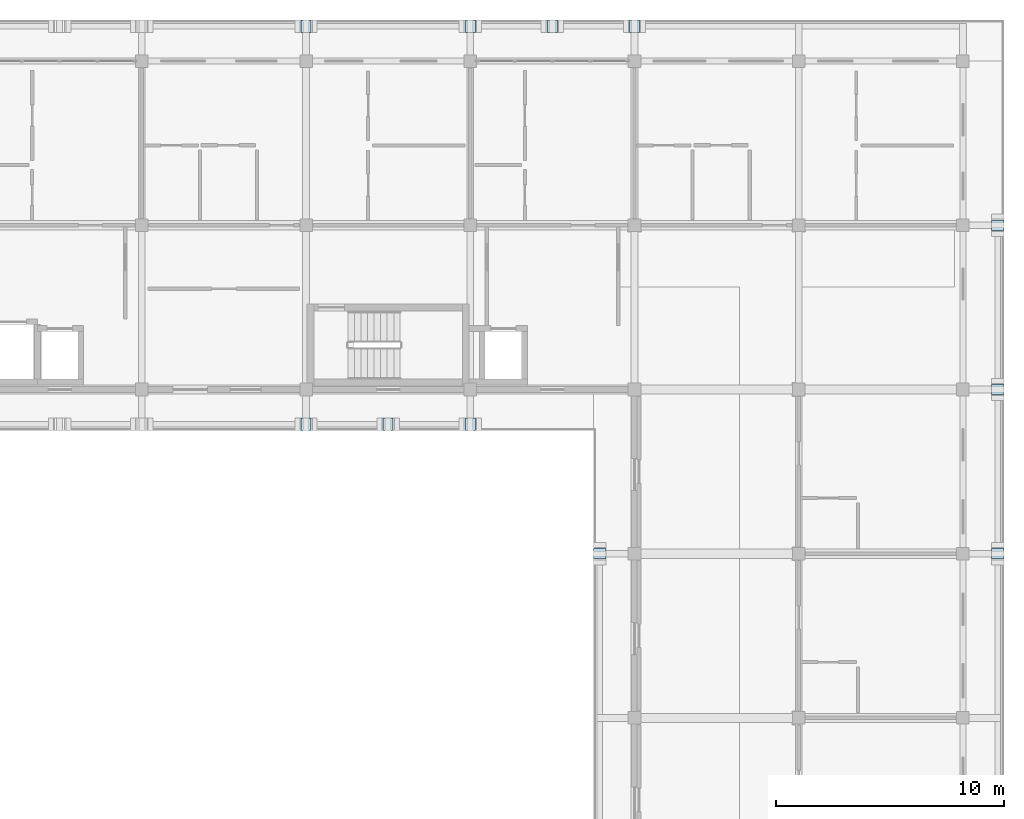
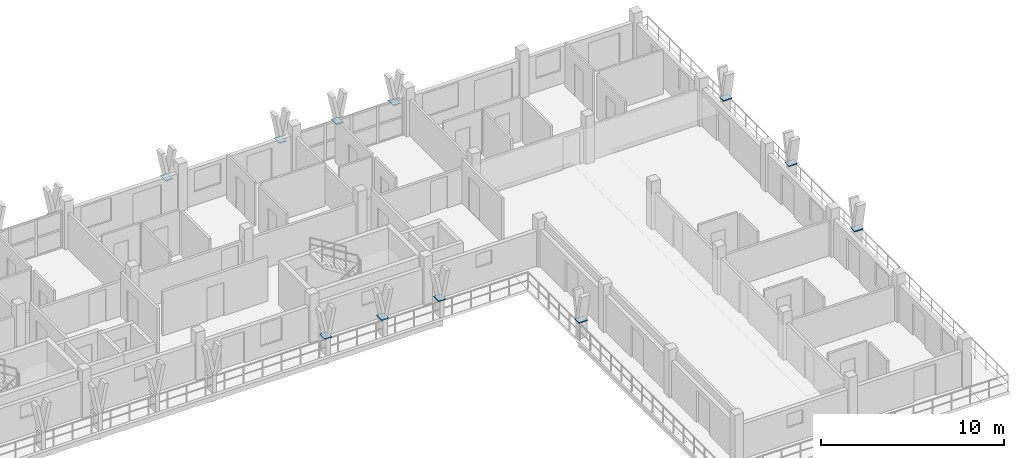
# One storey, part 33 of 65: 11 plates.
"""IFC4 building model written with IfcOpenShell, lengths in metres."""

import ifcopenshell
import ifcopenshell.guid

model = None  # the IFC model being written
_history = None  # IfcOwnerHistory: only IFC2X3 demands one
_inside = {}  # id of a spatial element -> (the spatial element, [elements in it])
_under = {}  # id of a project, library or spatial element -> (it, [spatial elements below it])
_declared = {}  # id of a project -> (the project, [libraries it declares])
_typed = {}  # id of a type object -> (the type object, [elements of that type])
_made_of = {}  # id of a material, layer set ... -> (it, [elements and type objects made of it])


def new_model(schema):
    """Start an empty IFC model of exactly this schema.

    Asked for "IFC4X3", IfcOpenShell would pick the latest addendum, in which some entities
    have other attributes; the version numbers below select the first issue.
    IFC2X3 requires an IfcOwnerHistory on every rooted entity: one is made here for all.
    """
    global model, _history
    if schema == "IFC4X3":
        model = ifcopenshell.file(schema_version=(4, 3, 0, 0))
    else:
        model = ifcopenshell.file(schema=schema)
    _inside.clear()
    _under.clear()
    _declared.clear()
    _typed.clear()
    _made_of.clear()
    _history = None
    if model.schema == "IFC2X3":
        org = make("IfcOrganization", Name="unknown")
        user = make(
            "IfcPersonAndOrganization",
            ThePerson=make("IfcPerson", FamilyName="unknown"),
            TheOrganization=org,
        )
        app = make(
            "IfcApplication",
            ApplicationDeveloper=org,
            Version="unknown",
            ApplicationFullName="unknown",
            ApplicationIdentifier="unknown",
        )
        _history = make(
            "IfcOwnerHistory",
            OwningUser=user,
            OwningApplication=app,
            ChangeAction="ADDED",
            CreationDate=0,
        )
    return model


def make(cls, **values):
    """One entity of the class cls with the attributes given. An attribute that is None is left unset."""
    return model.create_entity(
        cls, **{name: value for name, value in values.items() if value is not None}
    )


def rooted(cls, **values):
    """An entity with a GlobalId (a new one), such as an element, a storey or a relation."""
    return make(cls, GlobalId=ifcopenshell.guid.new(), OwnerHistory=_history, **values)


def si_unit(unit_type, name, prefix=None):
    """IfcSIUnit, for example si_unit("LENGTHUNIT", "METRE", prefix="MILLI")."""
    return make("IfcSIUnit", UnitType=unit_type, Prefix=prefix, Name=name)


def assignment(units):
    """IfcUnitAssignment: the units of a project."""
    return None if units is None else make("IfcUnitAssignment", Units=units)


def point(xyz):
    """IfcCartesianPoint."""
    return None if xyz is None else make("IfcCartesianPoint", Coordinates=xyz)


def direction(xyz):
    """IfcDirection."""
    return None if xyz is None else make("IfcDirection", DirectionRatios=xyz)


def frame(location, z_axis=None, x_axis=None):
    """IfcAxis2Placement3D, a coordinate frame: its origin and axes. An axis left out is left unset."""
    return make(
        "IfcAxis2Placement3D",
        Location=point(location),
        Axis=direction(z_axis),
        RefDirection=direction(x_axis),
    )


def frame_2d(location, x_axis=None):
    """IfcAxis2Placement2D, a coordinate frame in the plane: its origin and x axis."""
    return make(
        "IfcAxis2Placement2D", Location=point(location), RefDirection=direction(x_axis)
    )


def origin():
    """The frame at (0, 0, 0) with its axes left unset."""
    return frame((0.0, 0.0, 0.0))


def origin_2d():
    """The frame at (0, 0) in the plane with its x axis left unset."""
    return frame_2d((0.0, 0.0))


def place(relative_to, where):
    """IfcLocalPlacement: puts the frame where relative to a parent placement (None: the world)."""
    return make(
        "IfcLocalPlacement", PlacementRelTo=relative_to, RelativePlacement=where
    )


def context(
    kind, dimensions, precision=None, world=None, true_north=None, identifier=None
):
    """IfcGeometricRepresentationContext, for example the 3D "Model" context."""
    return make(
        "IfcGeometricRepresentationContext",
        ContextIdentifier=identifier,
        ContextType=kind,
        CoordinateSpaceDimension=dimensions,
        Precision=precision,
        WorldCoordinateSystem=world,
        TrueNorth=true_north,
    )


def subcontext(parent, identifier, kind, view, scale=None):
    """IfcGeometricRepresentationSubContext, for example "Body" below "Model"."""
    return make(
        "IfcGeometricRepresentationSubContext",
        ContextIdentifier=identifier,
        ContextType=kind,
        ParentContext=parent,
        TargetScale=scale,
        TargetView=view,
    )


def project(units=None, contexts=None):
    """IfcProject with its units and contexts."""
    return rooted(
        "IfcProject",
        Name="project",
        RepresentationContexts=contexts,
        UnitsInContext=assignment(units),
    )


def spatial(cls, under=None, at=None, **own):
    """A site, building, storey or space (cls), placed at a placement, below another one or the project."""
    s = rooted(cls, ObjectPlacement=at, **own)
    if under is not None:
        _under.setdefault(under.id(), (under, []))[1].append(s)
    return s


def profile(cls, at=None, kind="AREA", **sizes):
    """A parametric profile (cls). Its sizes go by their IFC names, for example OverallWidth=200.0."""
    return make(cls, ProfileType=kind, Position=at, **sizes)


def rectangle(**sizes):
    """IfcRectangleProfileDef."""
    return profile("IfcRectangleProfileDef", **sizes)


def extrude(swept, where, along, depth):
    """IfcExtrudedAreaSolid: the profile swept, set in the frame where, extruded along a direction by depth."""
    return make(
        "IfcExtrudedAreaSolid",
        SweptArea=swept,
        Position=where,
        ExtrudedDirection=direction(along),
        Depth=depth,
    )


def shape(context_of_items, identifier, shape_type, items):
    """IfcShapeRepresentation: the items that make up one representation, for example the "Body"."""
    return make(
        "IfcShapeRepresentation",
        ContextOfItems=context_of_items,
        RepresentationIdentifier=identifier,
        RepresentationType=shape_type,
        Items=items,
    )


def material(Name=None, Category=None):
    """IfcMaterial."""
    return make("IfcMaterial", Name=Name, Category=Category)


def layer(
    of_material, thickness, ventilated=None, Name=None, Category=None, Priority=None
):
    """IfcMaterialLayer: one layer of a wall or slab, of a material (None: an air gap)."""
    return make(
        "IfcMaterialLayer",
        Material=of_material,
        LayerThickness=thickness,
        IsVentilated=ventilated,
        Name=Name,
        Category=Category,
        Priority=Priority,
    )


def layer_set(layers, Name=None):
    """IfcMaterialLayerSet."""
    return make("IfcMaterialLayerSet", MaterialLayers=layers, LayerSetName=Name)


def made_of(thing, what):
    """Note that an element or type object is made of a material, layer set ...; save() writes the relation."""
    if what is not None:
        _made_of.setdefault(what.id(), (what, []))[1].append(thing)
    return thing


def type_object(cls, material=None, **own):
    """A type object (cls), such as IfcWallType, which elements share."""
    return made_of(rooted(cls, **own), material)


def element(
    cls,
    number,
    at=None,
    inside=None,
    cuts=None,
    type_object=None,
    material=None,
    context=None,
    identifier="Body",
    shape_type=None,
    held_by="IfcProductDefinitionShape",
    body=None,
    shapes=None,
    **own,
):
    """One element of the class cls, such as IfcWall. Its Tag is "e" and its number.

    at: its placement. inside: the storey or other place that contains it. cuts: it is an
    opening in that element (IfcRelVoidsElement). A single representation is given by context,
    identifier, shape_type and body (its items); several are given by shapes. held_by: the class
    of the entity that holds the representations. save() writes the other relations.
    """
    e = rooted(cls, Tag="e%d" % number, ObjectPlacement=at, **own)
    if body is not None:
        shapes = [shape(context, identifier, shape_type, body)]
    if shapes is not None:
        e.Representation = make(held_by, Representations=shapes)
    if inside is not None:
        _inside.setdefault(inside.id(), (inside, []))[1].append(e)
    if cuts is not None:
        rooted(
            "IfcRelVoidsElement", RelatingBuildingElement=cuts, RelatedOpeningElement=e
        )
    if type_object is not None:
        _typed.setdefault(type_object.id(), (type_object, []))[1].append(e)
    return made_of(e, material)


def aggregate(whole, parts):
    """IfcRelAggregates: a whole, such as a stair, and the parts it consists of."""
    return rooted("IfcRelAggregates", RelatingObject=whole, RelatedObjects=parts)


def save(model, path):
    """Write the relations noted so far, then the file.

    IfcRelAggregates (storeys below a building ...), IfcRelContainedInSpatialStructure (elements
    in a storey), IfcRelDefinesByType, IfcRelAssociatesMaterial and IfcRelDeclares: one each for
    every whole, place, type object, material and project.
    """
    for whole, parts in _under.values():
        aggregate(whole, parts)
    for where, things in _inside.values():
        rooted(
            "IfcRelContainedInSpatialStructure",
            RelatedElements=things,
            RelatingStructure=where,
        )
    for kind, things in _typed.values():
        rooted("IfcRelDefinesByType", RelatedObjects=things, RelatingType=kind)
    for what, things in _made_of.values():
        rooted("IfcRelAssociatesMaterial", RelatedObjects=things, RelatingMaterial=what)
    for by, libraries in _declared.values():
        rooted("IfcRelDeclares", RelatingContext=by, RelatedDefinitions=libraries)
    model.write(path)


model = new_model("IFC4")

# Units and contexts
model_context = context("Model", 3, precision=1e-05, world=origin(), true_north=direction((0.0, 1.0)))
body_context = subcontext(model_context, "Body", "Model", "MODEL_VIEW")
ifc_project = project(units=[si_unit("LENGTHUNIT", "METRE"), si_unit("AREAUNIT", "SQUARE_METRE"), si_unit("VOLUMEUNIT", "CUBIC_METRE"), si_unit("PLANEANGLEUNIT", "RADIAN"), si_unit("MASSUNIT", "GRAM", prefix="KILO")], contexts=[model_context])

# Site, building, storey
site_placement = place(None, origin())
site = spatial("IfcSite", under=ifc_project, at=site_placement, CompositionType="ELEMENT")
building_placement = place(site_placement, origin())
building = spatial("IfcBuilding", under=site, at=building_placement, Name="Suanplinth Sawtooth Commons", CompositionType="ELEMENT")
storey_placement = place(building_placement, frame((0.0, 0.0, 28.300048828125)))
storey = spatial("IfcBuildingStorey", under=building, at=storey_placement, Name="L08", CompositionType="ELEMENT", Elevation=28.300048828125)

# Plates
ifc_material = material(Name="Pigmented precast concrete C40/50", Category="concrete")
ifc_layer = layer(ifc_material, 0.06005859375, Name="Precast Y-blade bifurcation node plate 60mm")
ifc_layer_set = layer_set([ifc_layer], Name="Pigmented precast concrete C40/50")
plate_type = type_object("IfcPlateType", Name="PL-04", PredefinedType="USERDEFINED", material=ifc_layer_set)
for number, where, z_axis, x_axis, name in (
    (1, (158.39990234375, 123.919921875, 1.119873046875), (0.0, 0.0, 1.0), (1.0, 0.0, 0.0), "Y-Blade Node Plate L08-B-N-03"),
    (2, (165.60009765625, 123.919921875, 1.119873046875), (0.0, 0.0, 1.0), (1.0, 0.0, 0.0), "Y-Blade Node Plate L08-B-N-04"),
    (3, (169.199951171875, 123.919921875, 1.119873046875), (0.0, 0.0, 1.0), (1.0, 0.0, 0.0), "Y-Blade Node Plate L08-B-N-05"),
    (4, (172.800048828125, 123.919921875, 1.119873046875), (0.0, 0.0, 1.0), (1.0, 0.0, 0.0), "Y-Blade Node Plate L08-B-N-06"),
    (5, (188.719970703125, 100.800048828125, 1.119873046875), (0.0, 0.0, 1.0), (0.0, 1.0, 0.0), "Y-Blade Node Plate L08-B-E-07"),
    (6, (188.719970703125, 108.0, 1.119873046875), (0.0, 0.0, 1.0), (0.0, 1.0, 0.0), "Y-Blade Node Plate L08-B-E-08"),
    (7, (188.719970703125, 115.199951171875, 1.119873046875), (0.0, 0.0, 1.0), (0.0, 1.0, 0.0), "Y-Blade Node Plate L08-B-E-09"),
    (8, (158.39990234375, 106.47998046875, 1.119873046875), (0.0, 0.0, 1.0), (1.0, 0.0, 0.0), "Y-Blade Node Plate L08-B-SC-14"),
    (9, (162.0, 106.47998046875, 1.119873046875), (0.0, 0.0, 1.0), (1.0, 0.0, 0.0), "Y-Blade Node Plate L08-B-SC-15"),
    (10, (165.60009765625, 106.47998046875, 1.119873046875), (0.0, 0.0, 1.0), (1.0, 0.0, 0.0), "Y-Blade Node Plate L08-B-SC-16"),
    (11, (171.280029296875, 100.800048828125, 1.119873046875), (0.0, 0.0, 1.0), (0.0, 1.0, 0.0), "Y-Blade Node Plate L08-B-WC-17"),
):
    element("IfcPlate", number, at=place(storey_placement, frame(where, z_axis=z_axis, x_axis=x_axis)), inside=storey, type_object=plate_type, Name=name, ObjectType="GUSSET PLATE", PredefinedType="USERDEFINED", context=body_context, shape_type="SweptSolid", body=[
        extrude(rectangle(XDim=0.43994140625, YDim=0.550048828125, at=origin_2d()), origin(), (0.0, 0.0, 1.0), 0.06005859375),
    ])

save(model, "model.ifc")
